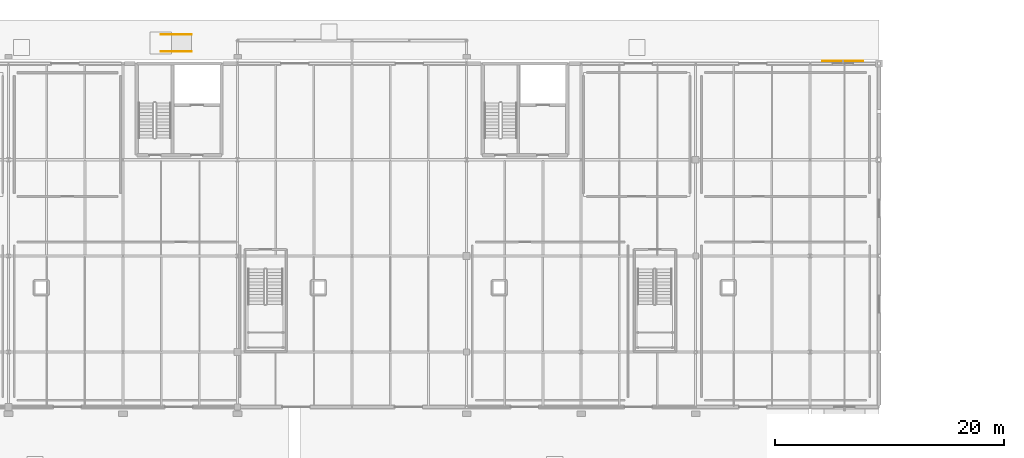
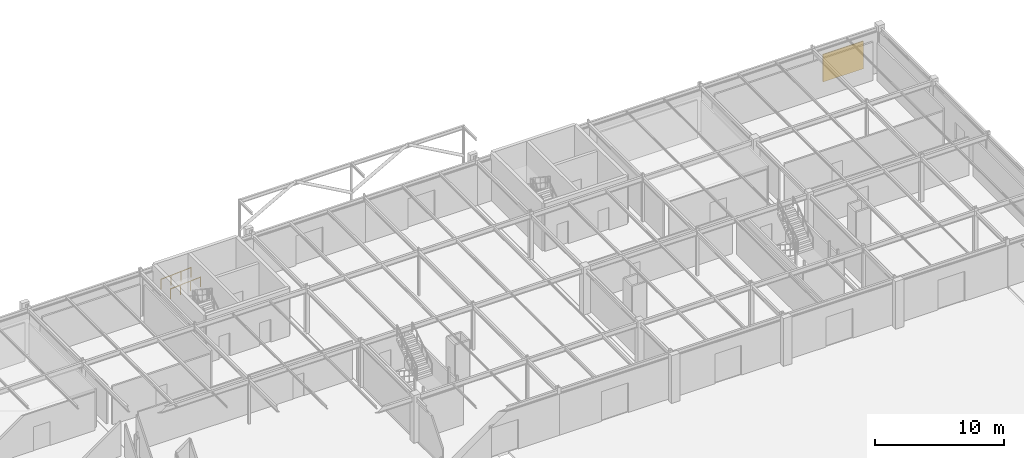
# One storey, part 118 of 119: 2 railings, 1 shading device.
"""IFC4 building model written with IfcOpenShell, lengths in metres."""

import ifcopenshell
import ifcopenshell.guid

model = None  # the IFC model being written
_history = None  # IfcOwnerHistory: only IFC2X3 demands one
_inside = {}  # id of a spatial element -> (the spatial element, [elements in it])
_under = {}  # id of a project, library or spatial element -> (it, [spatial elements below it])
_declared = {}  # id of a project -> (the project, [libraries it declares])
_typed = {}  # id of a type object -> (the type object, [elements of that type])
_made_of = {}  # id of a material, layer set ... -> (it, [elements and type objects made of it])


def new_model(schema):
    """Start an empty IFC model of exactly this schema.

    Asked for "IFC4X3", IfcOpenShell would pick the latest addendum, in which some entities
    have other attributes; the version numbers below select the first issue.
    IFC2X3 requires an IfcOwnerHistory on every rooted entity: one is made here for all.
    """
    global model, _history
    if schema == "IFC4X3":
        model = ifcopenshell.file(schema_version=(4, 3, 0, 0))
    else:
        model = ifcopenshell.file(schema=schema)
    _inside.clear()
    _under.clear()
    _declared.clear()
    _typed.clear()
    _made_of.clear()
    _history = None
    if model.schema == "IFC2X3":
        org = make("IfcOrganization", Name="unknown")
        user = make(
            "IfcPersonAndOrganization",
            ThePerson=make("IfcPerson", FamilyName="unknown"),
            TheOrganization=org,
        )
        app = make(
            "IfcApplication",
            ApplicationDeveloper=org,
            Version="unknown",
            ApplicationFullName="unknown",
            ApplicationIdentifier="unknown",
        )
        _history = make(
            "IfcOwnerHistory",
            OwningUser=user,
            OwningApplication=app,
            ChangeAction="ADDED",
            CreationDate=0,
        )
    return model


def make(cls, **values):
    """One entity of the class cls with the attributes given. An attribute that is None is left unset."""
    return model.create_entity(
        cls, **{name: value for name, value in values.items() if value is not None}
    )


def rooted(cls, **values):
    """An entity with a GlobalId (a new one), such as an element, a storey or a relation."""
    return make(cls, GlobalId=ifcopenshell.guid.new(), OwnerHistory=_history, **values)


def si_unit(unit_type, name, prefix=None):
    """IfcSIUnit, for example si_unit("LENGTHUNIT", "METRE", prefix="MILLI")."""
    return make("IfcSIUnit", UnitType=unit_type, Prefix=prefix, Name=name)


def derived_unit(unit_type, elements):
    """IfcDerivedUnit: a product of units, each with its exponent."""
    return make(
        "IfcDerivedUnit",
        Elements=[
            make("IfcDerivedUnitElement", Unit=unit, Exponent=power)
            for unit, power in elements
        ],
        UnitType=unit_type,
    )


def assignment(units):
    """IfcUnitAssignment: the units of a project."""
    return None if units is None else make("IfcUnitAssignment", Units=units)


def point(xyz):
    """IfcCartesianPoint."""
    return None if xyz is None else make("IfcCartesianPoint", Coordinates=xyz)


def direction(xyz):
    """IfcDirection."""
    return None if xyz is None else make("IfcDirection", DirectionRatios=xyz)


def frame(location, z_axis=None, x_axis=None):
    """IfcAxis2Placement3D, a coordinate frame: its origin and axes. An axis left out is left unset."""
    return make(
        "IfcAxis2Placement3D",
        Location=point(location),
        Axis=direction(z_axis),
        RefDirection=direction(x_axis),
    )


def frame_2d(location, x_axis=None):
    """IfcAxis2Placement2D, a coordinate frame in the plane: its origin and x axis."""
    return make(
        "IfcAxis2Placement2D", Location=point(location), RefDirection=direction(x_axis)
    )


def origin():
    """The frame at (0, 0, 0) with its axes left unset."""
    return frame((0.0, 0.0, 0.0))


def origin_2d_with_axis():
    """The frame at (0, 0) in the plane with the x axis (1, 0) written out."""
    return frame_2d((0.0, 0.0), x_axis=(1.0, 0.0))


def place(relative_to, where):
    """IfcLocalPlacement: puts the frame where relative to a parent placement (None: the world)."""
    return make(
        "IfcLocalPlacement", PlacementRelTo=relative_to, RelativePlacement=where
    )


def context(
    kind, dimensions, precision=None, world=None, true_north=None, identifier=None
):
    """IfcGeometricRepresentationContext, for example the 3D "Model" context."""
    return make(
        "IfcGeometricRepresentationContext",
        ContextIdentifier=identifier,
        ContextType=kind,
        CoordinateSpaceDimension=dimensions,
        Precision=precision,
        WorldCoordinateSystem=world,
        TrueNorth=true_north,
    )


def subcontext(parent, identifier, kind, view, scale=None):
    """IfcGeometricRepresentationSubContext, for example "Body" below "Model"."""
    return make(
        "IfcGeometricRepresentationSubContext",
        ContextIdentifier=identifier,
        ContextType=kind,
        ParentContext=parent,
        TargetScale=scale,
        TargetView=view,
    )


def project(units=None, contexts=None):
    """IfcProject with its units and contexts."""
    return rooted(
        "IfcProject",
        Name="project",
        RepresentationContexts=contexts,
        UnitsInContext=assignment(units),
    )


def spatial(cls, under=None, at=None, **own):
    """A site, building, storey or space (cls), placed at a placement, below another one or the project."""
    s = rooted(cls, ObjectPlacement=at, **own)
    if under is not None:
        _under.setdefault(under.id(), (under, []))[1].append(s)
    return s


def profile(cls, at=None, kind="AREA", **sizes):
    """A parametric profile (cls). Its sizes go by their IFC names, for example OverallWidth=200.0."""
    return make(cls, ProfileType=kind, Position=at, **sizes)


def rectangle(**sizes):
    """IfcRectangleProfileDef."""
    return profile("IfcRectangleProfileDef", **sizes)


def circle(**sizes):
    """IfcCircleProfileDef."""
    return profile("IfcCircleProfileDef", **sizes)


def extrude(swept, where, along, depth):
    """IfcExtrudedAreaSolid: the profile swept, set in the frame where, extruded along a direction by depth."""
    return make(
        "IfcExtrudedAreaSolid",
        SweptArea=swept,
        Position=where,
        ExtrudedDirection=direction(along),
        Depth=depth,
    )


def shape(context_of_items, identifier, shape_type, items):
    """IfcShapeRepresentation: the items that make up one representation, for example the "Body"."""
    return make(
        "IfcShapeRepresentation",
        ContextOfItems=context_of_items,
        RepresentationIdentifier=identifier,
        RepresentationType=shape_type,
        Items=items,
    )


def material(Name=None, Category=None):
    """IfcMaterial."""
    return make("IfcMaterial", Name=Name, Category=Category)


def layer(
    of_material, thickness, ventilated=None, Name=None, Category=None, Priority=None
):
    """IfcMaterialLayer: one layer of a wall or slab, of a material (None: an air gap)."""
    return make(
        "IfcMaterialLayer",
        Material=of_material,
        LayerThickness=thickness,
        IsVentilated=ventilated,
        Name=Name,
        Category=Category,
        Priority=Priority,
    )


def layer_set(layers, Name=None):
    """IfcMaterialLayerSet."""
    return make("IfcMaterialLayerSet", MaterialLayers=layers, LayerSetName=Name)


def made_of(thing, what):
    """Note that an element or type object is made of a material, layer set ...; save() writes the relation."""
    if what is not None:
        _made_of.setdefault(what.id(), (what, []))[1].append(thing)
    return thing


def type_object(cls, material=None, **own):
    """A type object (cls), such as IfcWallType, which elements share."""
    return made_of(rooted(cls, **own), material)


def element(
    cls,
    number,
    at=None,
    inside=None,
    cuts=None,
    type_object=None,
    material=None,
    context=None,
    identifier="Body",
    shape_type=None,
    held_by="IfcProductDefinitionShape",
    body=None,
    shapes=None,
    **own,
):
    """One element of the class cls, such as IfcWall. Its Tag is "e" and its number.

    at: its placement. inside: the storey or other place that contains it. cuts: it is an
    opening in that element (IfcRelVoidsElement). A single representation is given by context,
    identifier, shape_type and body (its items); several are given by shapes. held_by: the class
    of the entity that holds the representations. save() writes the other relations.
    """
    e = rooted(cls, Tag="e%d" % number, ObjectPlacement=at, **own)
    if body is not None:
        shapes = [shape(context, identifier, shape_type, body)]
    if shapes is not None:
        e.Representation = make(held_by, Representations=shapes)
    if inside is not None:
        _inside.setdefault(inside.id(), (inside, []))[1].append(e)
    if cuts is not None:
        rooted(
            "IfcRelVoidsElement", RelatingBuildingElement=cuts, RelatedOpeningElement=e
        )
    if type_object is not None:
        _typed.setdefault(type_object.id(), (type_object, []))[1].append(e)
    return made_of(e, material)


def aggregate(whole, parts):
    """IfcRelAggregates: a whole, such as a stair, and the parts it consists of."""
    return rooted("IfcRelAggregates", RelatingObject=whole, RelatedObjects=parts)


def save(model, path):
    """Write the relations noted so far, then the file.

    IfcRelAggregates (storeys below a building ...), IfcRelContainedInSpatialStructure (elements
    in a storey), IfcRelDefinesByType, IfcRelAssociatesMaterial and IfcRelDeclares: one each for
    every whole, place, type object, material and project.
    """
    for whole, parts in _under.values():
        aggregate(whole, parts)
    for where, things in _inside.values():
        rooted(
            "IfcRelContainedInSpatialStructure",
            RelatedElements=things,
            RelatingStructure=where,
        )
    for kind, things in _typed.values():
        rooted("IfcRelDefinesByType", RelatedObjects=things, RelatingType=kind)
    for what, things in _made_of.values():
        rooted("IfcRelAssociatesMaterial", RelatedObjects=things, RelatingMaterial=what)
    for by, libraries in _declared.values():
        rooted("IfcRelDeclares", RelatingContext=by, RelatedDefinitions=libraries)
    model.write(path)


model = new_model("IFC4")

# Units and contexts
model_context = context("Model", 3, precision=1e-05, world=origin(), true_north=direction((0.0, 1.0)))
body_context = subcontext(model_context, "Body", "Model", "MODEL_VIEW")
ifc_project = project(units=[si_unit("LENGTHUNIT", "METRE"), si_unit("AREAUNIT", "SQUARE_METRE"), si_unit("VOLUMEUNIT", "CUBIC_METRE"), si_unit("PLANEANGLEUNIT", "RADIAN"), si_unit("MASSUNIT", "GRAM", prefix="KILO"), derived_unit("THERMALTRANSMITTANCEUNIT", [(si_unit("POWERUNIT", "WATT"), 1), (si_unit("LENGTHUNIT", "METRE"), -2), (si_unit("THERMODYNAMICTEMPERATUREUNIT", "KELVIN"), -1)])], contexts=[model_context])

# Site, building, storey
site_placement = place(None, origin())
site = spatial("IfcSite", under=ifc_project, at=site_placement, CompositionType="ELEMENT")
building_placement = place(site_placement, origin())
building = spatial("IfcBuilding", under=site, at=building_placement, Name="Cinnabar Yard Market Hall", CompositionType="ELEMENT")
storey_placement = place(building_placement, origin())
storey = spatial("IfcBuildingStorey", under=building, at=storey_placement, Name="L00", CompositionType="ELEMENT", Elevation=0.0)

# Railings
ifc_material_1 = material(Name="Brushed stainless steel exterior handrail", Category="steel")
ifc_layer = layer(ifc_material_1, 0.050048828125)
ifc_layer_set = layer_set([ifc_layer], Name="Brushed stainless steel exterior handrail")
railing_type = type_object("IfcRailingType", Name="RL-HRE", PredefinedType="HANDRAIL", material=ifc_layer_set)
for number, where, name in (
    (1, (99.300048828125, 140.54248046875, -0.179931640625), "Northern Entry Step-Free Ramp Handrail L"),
    (2, (99.300048828125, 139.0576171875, -0.179931640625), "Northern Entry Step-Free Ramp Handrail R"),
):
    element("IfcRailing", number, at=place(storey_placement, frame(where)), inside=storey, type_object=railing_type, Name=name, PredefinedType="HANDRAIL", context=body_context, shape_type="SweptSolid", body=[
        extrude(circle(Radius=0.02392578125, at=origin_2d_with_axis()), frame((0.0, 0.0, 0.89599609375), z_axis=(0.997786754453, 0.0, 0.066495057241), x_axis=(0.0, 1.0, 0.0)), (0.0, 0.0, 1.0), 2.7060546875),
        extrude(circle(Radius=0.02099609375, at=origin_2d_with_axis()), origin(), (0.0, 0.0, 1.0), 0.871826171875),
        extrude(circle(Radius=0.02099609375, at=origin_2d_with_axis()), frame((0.89990234375, 0.0, 0.06005859375)), (0.0, 0.0, 1.0), 0.871826171875),
        extrude(circle(Radius=0.02099609375, at=origin_2d_with_axis()), frame((1.800048828125, 0.0, 0.119873046875)), (0.0, 0.0, 1.0), 0.871826171875),
        extrude(circle(Radius=0.02099609375, at=origin_2d_with_axis()), frame((2.699951171875, 0.0, 0.179931640625)), (0.0, 0.0, 1.0), 0.871826171875),
    ])

# Shading device
ifc_material_2 = material(Name="Perforated weathering bronze aluminium jali screen", Category="aluminium")
shading_device_type = type_object("IfcShadingDeviceType", Name="SHD-JALI1", PredefinedType="JALOUSIE", material=ifc_material_2)
shading_device_placement = place(storey_placement, frame((158.85302734375, 138.219970703125, 0.550048828125), z_axis=(0.0, 0.0, 1.0), x_axis=(1.0, 0.0, 0.0)))
element("IfcShadingDevice", 3, at=shading_device_placement, inside=storey, type_object=shading_device_type, Name="Wing North Jali Screen L00 Bay 10", PredefinedType="JALOUSIE", context=body_context, shape_type="SweptSolid", body=[
    extrude(rectangle(XDim=3.60009765625, YDim=0.080078125, at=origin_2d_with_axis()), origin(), (0.0, 0.0, 1.0), 2.60009765625),
])

save(model, "model.ifc")
